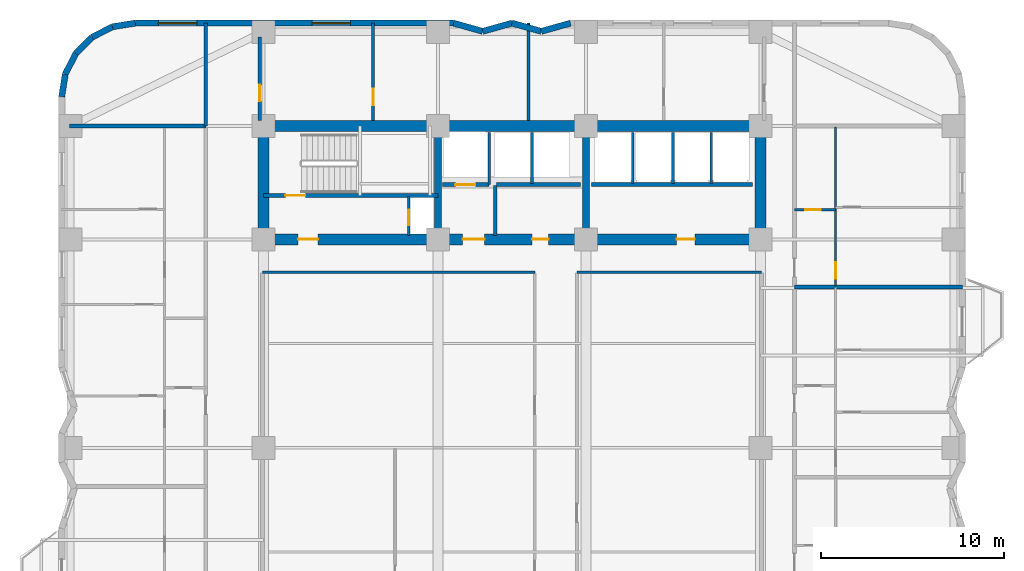
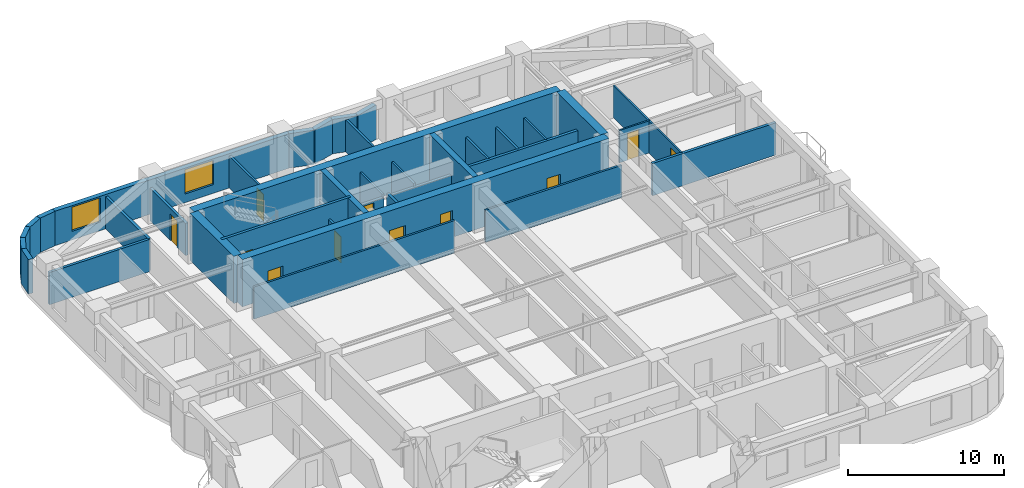
# One storey, part 6 of 9: 37 walls, 11 doors, 2 windows, 13 openings.
"""IFC4 building model written with IfcOpenShell, lengths in metres."""

import ifcopenshell
import ifcopenshell.guid

model = None  # the IFC model being written
_history = None  # IfcOwnerHistory: only IFC2X3 demands one
_inside = {}  # id of a spatial element -> (the spatial element, [elements in it])
_under = {}  # id of a project, library or spatial element -> (it, [spatial elements below it])
_declared = {}  # id of a project -> (the project, [libraries it declares])
_typed = {}  # id of a type object -> (the type object, [elements of that type])
_made_of = {}  # id of a material, layer set ... -> (it, [elements and type objects made of it])


def new_model(schema):
    """Start an empty IFC model of exactly this schema.

    Asked for "IFC4X3", IfcOpenShell would pick the latest addendum, in which some entities
    have other attributes; the version numbers below select the first issue.
    IFC2X3 requires an IfcOwnerHistory on every rooted entity: one is made here for all.
    """
    global model, _history
    if schema == "IFC4X3":
        model = ifcopenshell.file(schema_version=(4, 3, 0, 0))
    else:
        model = ifcopenshell.file(schema=schema)
    _inside.clear()
    _under.clear()
    _declared.clear()
    _typed.clear()
    _made_of.clear()
    _history = None
    if model.schema == "IFC2X3":
        org = make("IfcOrganization", Name="unknown")
        user = make(
            "IfcPersonAndOrganization",
            ThePerson=make("IfcPerson", FamilyName="unknown"),
            TheOrganization=org,
        )
        app = make(
            "IfcApplication",
            ApplicationDeveloper=org,
            Version="unknown",
            ApplicationFullName="unknown",
            ApplicationIdentifier="unknown",
        )
        _history = make(
            "IfcOwnerHistory",
            OwningUser=user,
            OwningApplication=app,
            ChangeAction="ADDED",
            CreationDate=0,
        )
    return model


def make(cls, **values):
    """One entity of the class cls with the attributes given. An attribute that is None is left unset."""
    return model.create_entity(
        cls, **{name: value for name, value in values.items() if value is not None}
    )


def rooted(cls, **values):
    """An entity with a GlobalId (a new one), such as an element, a storey or a relation."""
    return make(cls, GlobalId=ifcopenshell.guid.new(), OwnerHistory=_history, **values)


def si_unit(unit_type, name, prefix=None):
    """IfcSIUnit, for example si_unit("LENGTHUNIT", "METRE", prefix="MILLI")."""
    return make("IfcSIUnit", UnitType=unit_type, Prefix=prefix, Name=name)


def assignment(units):
    """IfcUnitAssignment: the units of a project."""
    return None if units is None else make("IfcUnitAssignment", Units=units)


def point(xyz):
    """IfcCartesianPoint."""
    return None if xyz is None else make("IfcCartesianPoint", Coordinates=xyz)


def direction(xyz):
    """IfcDirection."""
    return None if xyz is None else make("IfcDirection", DirectionRatios=xyz)


def frame(location, z_axis=None, x_axis=None):
    """IfcAxis2Placement3D, a coordinate frame: its origin and axes. An axis left out is left unset."""
    return make(
        "IfcAxis2Placement3D",
        Location=point(location),
        Axis=direction(z_axis),
        RefDirection=direction(x_axis),
    )


def frame_2d(location, x_axis=None):
    """IfcAxis2Placement2D, a coordinate frame in the plane: its origin and x axis."""
    return make(
        "IfcAxis2Placement2D", Location=point(location), RefDirection=direction(x_axis)
    )


def origin():
    """The frame at (0, 0, 0) with its axes left unset."""
    return frame((0.0, 0.0, 0.0))


def place(relative_to, where):
    """IfcLocalPlacement: puts the frame where relative to a parent placement (None: the world)."""
    return make(
        "IfcLocalPlacement", PlacementRelTo=relative_to, RelativePlacement=where
    )


def context(
    kind, dimensions, precision=None, world=None, true_north=None, identifier=None
):
    """IfcGeometricRepresentationContext, for example the 3D "Model" context."""
    return make(
        "IfcGeometricRepresentationContext",
        ContextIdentifier=identifier,
        ContextType=kind,
        CoordinateSpaceDimension=dimensions,
        Precision=precision,
        WorldCoordinateSystem=world,
        TrueNorth=true_north,
    )


def subcontext(parent, identifier, kind, view, scale=None):
    """IfcGeometricRepresentationSubContext, for example "Body" below "Model"."""
    return make(
        "IfcGeometricRepresentationSubContext",
        ContextIdentifier=identifier,
        ContextType=kind,
        ParentContext=parent,
        TargetScale=scale,
        TargetView=view,
    )


def project(units=None, contexts=None):
    """IfcProject with its units and contexts."""
    return rooted(
        "IfcProject",
        Name="project",
        RepresentationContexts=contexts,
        UnitsInContext=assignment(units),
    )


def spatial(cls, under=None, at=None, **own):
    """A site, building, storey or space (cls), placed at a placement, below another one or the project."""
    s = rooted(cls, ObjectPlacement=at, **own)
    if under is not None:
        _under.setdefault(under.id(), (under, []))[1].append(s)
    return s


def profile(cls, at=None, kind="AREA", **sizes):
    """A parametric profile (cls). Its sizes go by their IFC names, for example OverallWidth=200.0."""
    return make(cls, ProfileType=kind, Position=at, **sizes)


def rectangle(**sizes):
    """IfcRectangleProfileDef."""
    return profile("IfcRectangleProfileDef", **sizes)


def extrude(swept, where, along, depth):
    """IfcExtrudedAreaSolid: the profile swept, set in the frame where, extruded along a direction by depth."""
    return make(
        "IfcExtrudedAreaSolid",
        SweptArea=swept,
        Position=where,
        ExtrudedDirection=direction(along),
        Depth=depth,
    )


def shape(context_of_items, identifier, shape_type, items):
    """IfcShapeRepresentation: the items that make up one representation, for example the "Body"."""
    return make(
        "IfcShapeRepresentation",
        ContextOfItems=context_of_items,
        RepresentationIdentifier=identifier,
        RepresentationType=shape_type,
        Items=items,
    )


def material(Name=None, Category=None):
    """IfcMaterial."""
    return make("IfcMaterial", Name=Name, Category=Category)


def layer(
    of_material, thickness, ventilated=None, Name=None, Category=None, Priority=None
):
    """IfcMaterialLayer: one layer of a wall or slab, of a material (None: an air gap)."""
    return make(
        "IfcMaterialLayer",
        Material=of_material,
        LayerThickness=thickness,
        IsVentilated=ventilated,
        Name=Name,
        Category=Category,
        Priority=Priority,
    )


def layer_set(layers, Name=None):
    """IfcMaterialLayerSet."""
    return make("IfcMaterialLayerSet", MaterialLayers=layers, LayerSetName=Name)


def made_of(thing, what):
    """Note that an element or type object is made of a material, layer set ...; save() writes the relation."""
    if what is not None:
        _made_of.setdefault(what.id(), (what, []))[1].append(thing)
    return thing


def type_object(cls, material=None, **own):
    """A type object (cls), such as IfcWallType, which elements share."""
    return made_of(rooted(cls, **own), material)


def element(
    cls,
    number,
    at=None,
    inside=None,
    cuts=None,
    type_object=None,
    material=None,
    context=None,
    identifier="Body",
    shape_type=None,
    held_by="IfcProductDefinitionShape",
    body=None,
    shapes=None,
    **own,
):
    """One element of the class cls, such as IfcWall. Its Tag is "e" and its number.

    at: its placement. inside: the storey or other place that contains it. cuts: it is an
    opening in that element (IfcRelVoidsElement). A single representation is given by context,
    identifier, shape_type and body (its items); several are given by shapes. held_by: the class
    of the entity that holds the representations. save() writes the other relations.
    """
    e = rooted(cls, Tag="e%d" % number, ObjectPlacement=at, **own)
    if body is not None:
        shapes = [shape(context, identifier, shape_type, body)]
    if shapes is not None:
        e.Representation = make(held_by, Representations=shapes)
    if inside is not None:
        _inside.setdefault(inside.id(), (inside, []))[1].append(e)
    if cuts is not None:
        rooted(
            "IfcRelVoidsElement", RelatingBuildingElement=cuts, RelatedOpeningElement=e
        )
    if type_object is not None:
        _typed.setdefault(type_object.id(), (type_object, []))[1].append(e)
    return made_of(e, material)


def fill(opening, filler):
    """IfcRelFillsElement: the door or window that sits in an opening."""
    return rooted(
        "IfcRelFillsElement",
        RelatingOpeningElement=opening,
        RelatedBuildingElement=filler,
    )


def aggregate(whole, parts):
    """IfcRelAggregates: a whole, such as a stair, and the parts it consists of."""
    return rooted("IfcRelAggregates", RelatingObject=whole, RelatedObjects=parts)


def save(model, path):
    """Write the relations noted so far, then the file.

    IfcRelAggregates (storeys below a building ...), IfcRelContainedInSpatialStructure (elements
    in a storey), IfcRelDefinesByType, IfcRelAssociatesMaterial and IfcRelDeclares: one each for
    every whole, place, type object, material and project.
    """
    for whole, parts in _under.values():
        aggregate(whole, parts)
    for where, things in _inside.values():
        rooted(
            "IfcRelContainedInSpatialStructure",
            RelatedElements=things,
            RelatingStructure=where,
        )
    for kind, things in _typed.values():
        rooted("IfcRelDefinesByType", RelatedObjects=things, RelatingType=kind)
    for what, things in _made_of.values():
        rooted("IfcRelAssociatesMaterial", RelatedObjects=things, RelatingMaterial=what)
    for by, libraries in _declared.values():
        rooted("IfcRelDeclares", RelatingContext=by, RelatedDefinitions=libraries)
    model.write(path)


model = new_model("IFC4")

# Units and contexts
model_context = context("Model", 3, precision=1e-05, world=origin(), true_north=direction((0.0, 1.0)))
body_context = subcontext(model_context, "Body", "Model", "MODEL_VIEW")
ifc_project = project(units=[si_unit("LENGTHUNIT", "METRE"), si_unit("AREAUNIT", "SQUARE_METRE"), si_unit("VOLUMEUNIT", "CUBIC_METRE"), si_unit("PLANEANGLEUNIT", "RADIAN"), si_unit("MASSUNIT", "GRAM", prefix="KILO")], contexts=[model_context])

# Site, building, storey
site_placement = place(None, origin())
site = spatial("IfcSite", under=ifc_project, at=site_placement, CompositionType="ELEMENT")
building_placement = place(site_placement, origin())
building = spatial("IfcBuilding", under=site, at=building_placement, Name="Svetorya Sky Lyceum", CompositionType="ELEMENT")
storey_placement = place(building_placement, frame((0.0, 0.0, 65.800048828125)))
storey = spatial("IfcBuildingStorey", under=building, at=storey_placement, Name="L16", CompositionType="ELEMENT", Elevation=65.800048828125)

# Walls
ifc_material_1 = material(Name="Concrete C40/50", Category="concrete")
ifc_layer_1 = layer(ifc_material_1, 0.39990234375)
ifc_layer_set_1 = layer_set([ifc_layer_1], Name="Concrete C40/50")
wall_type_1 = type_object("IfcWallType", Name="WL-CORE-400", PredefinedType="SHEAR", material=ifc_layer_set_1)
for number, where, z_axis, x_axis, name in (
    (1, (35.14990234375, 39.89990234375, 0.0), (0.0, 0.0, 1.0), (0.0, 1.0, 0.0), "L16 NC Internal Shear Web WEB1"),
    (2, (43.25, 39.89990234375, 0.0), (0.0, 0.0, 1.0), (0.0, 1.0, 0.0), "L16 NC Internal Shear Web WEB2"),
):
    element("IfcWall", number, at=place(storey_placement, frame(where, z_axis=z_axis, x_axis=x_axis)), inside=storey, type_object=wall_type_1, Name=name, PredefinedType="SHEAR", context=body_context, shape_type="SweptSolid", body=[
        extrude(rectangle(XDim=5.60009765625, YDim=0.39990234375, at=frame_2d((2.800048828125, 0.0))), origin(), (0.0, 0.0, 1.0), 3.699951171875),
    ])
ifc_material_2 = material(Name="Concrete C60/75", Category="concrete")
ifc_layer_2 = layer(ifc_material_2, 0.60009765625)
ifc_layer_set_2 = layer_set([ifc_layer_2], Name="Concrete C60/75")
wall_type_2 = type_object("IfcWallType", Name="WL-CORE-600", PredefinedType="SHEAR", material=ifc_layer_set_2)
wall_1_placement = place(storey_placement, frame((25.60009765625, 45.800048828125, 0.0), z_axis=(0.0, 0.0, 1.0), x_axis=(1.0, 0.0, 0.0)))
element("IfcWall", 3, at=wall_1_placement, inside=storey, type_object=wall_type_2, Name="L16 NC Outer Core Shear Wall", PredefinedType="SHEAR", context=body_context, shape_type="SweptSolid", body=[
    extrude(rectangle(XDim=27.199951171875, YDim=0.60009765625, at=frame_2d((13.60009765625, 0.0))), origin(), (0.0, 0.0, 1.0), 3.699951171875),
])
for number, where, z_axis, x_axis, name in (
    (4, (25.60009765625, 39.89990234375, 0.0), (0.0, 0.0, 1.0), (0.0, 1.0, 0.0), "L16 NC West Core Shear Wall"),
    (5, (52.800048828125, 39.89990234375, 0.0), (0.0, 0.0, 1.0), (0.0, 1.0, 0.0), "L16 NC East Core Shear Wall"),
):
    element("IfcWall", number, at=place(storey_placement, frame(where, z_axis=z_axis, x_axis=x_axis)), inside=storey, type_object=wall_type_2, Name=name, PredefinedType="SHEAR", context=body_context, shape_type="SweptSolid", body=[
        extrude(rectangle(XDim=5.60009765625, YDim=0.60009765625, at=frame_2d((2.800048828125, 0.0))), origin(), (0.0, 0.0, 1.0), 3.699951171875),
    ])

# Wall, openings, doors
wall_2_placement = place(storey_placement, frame((52.800048828125, 39.60009765625, 0.0), z_axis=(0.0, 0.0, 1.0), x_axis=(-1.0, 0.0, 0.0)))
wall_2 = element("IfcWall", 6, at=wall_2_placement, inside=storey, type_object=wall_type_2, Name="L16 NC Inner Core Shear Wall", PredefinedType="SHEAR", context=body_context, shape_type="SweptSolid", body=[
    extrude(rectangle(XDim=27.199951171875, YDim=0.60009765625, at=frame_2d((13.60009765625, 0.0))), origin(), (0.0, 0.0, 1.0), 3.699951171875),
])
opening_1_placement = place(wall_2_placement, frame((24.199951171875, 0.0, 0.0)))
opening_1 = element("IfcOpeningElement", 7, at=opening_1_placement, cuts=wall_2, Name="Opening D-ST1", PredefinedType="OPENING", context=body_context, shape_type="SweptSolid", body=[
    extrude(rectangle(XDim=1.10009765625, YDim=2.14990234375, at=frame_2d((0.550048828125, 1.074951171875))), frame((0.0, 0.31005859375, 0.0), z_axis=(0.0, -1.0, 0.0), x_axis=(1.0, 0.0, 0.0)), (0.0, 0.0, 1.0), 0.6201171875),
])
opening_2_placement = place(wall_2_placement, frame((15.10009765625, 0.0, 0.0)))
opening_2 = element("IfcOpeningElement", 8, at=opening_2_placement, cuts=wall_2, Name="Opening D-FL1", PredefinedType="OPENING", context=body_context, shape_type="SweptSolid", body=[
    extrude(rectangle(XDim=1.199951171875, YDim=2.14990234375, at=frame_2d((0.60009765625, 1.074951171875))), frame((0.0, 0.31005859375, 0.0), z_axis=(0.0, -1.0, 0.0), x_axis=(1.0, 0.0, 0.0)), (0.0, 0.0, 1.0), 0.6201171875),
])
opening_3_placement = place(wall_2_placement, frame((11.60009765625, 0.0, 0.0)))
opening_3 = element("IfcOpeningElement", 9, at=opening_3_placement, cuts=wall_2, Name="Opening D-RM1", PredefinedType="OPENING", context=body_context, shape_type="SweptSolid", body=[
    extrude(rectangle(XDim=0.89990234375, YDim=2.10009765625, at=frame_2d((0.449951171875, 1.050048828125))), frame((0.0, 0.31005859375, 0.0), z_axis=(0.0, -1.0, 0.0), x_axis=(1.0, 0.0, 0.0)), (0.0, 0.0, 1.0), 0.6201171875),
])
opening_4_placement = place(wall_2_placement, frame((3.60009765625, 0.0, 0.0)))
opening_4 = element("IfcOpeningElement", 10, at=opening_4_placement, cuts=wall_2, Name="Opening D-RM2", PredefinedType="OPENING", context=body_context, shape_type="SweptSolid", body=[
    extrude(rectangle(XDim=1.0, YDim=2.14990234375, at=frame_2d((0.5, 1.074951171875))), frame((0.0, 0.31005859375, 0.0), z_axis=(0.0, -1.0, 0.0), x_axis=(1.0, 0.0, 0.0)), (0.0, 0.0, 1.0), 0.6201171875),
])
ifc_material_3 = material(Name="Powder-coated insulated galvanized stair fire door")
door_type_1 = type_object("IfcDoorType", Name="DR-FIRE-1100", OperationType="SINGLE_SWING_LEFT", PredefinedType="DOOR", material=ifc_material_3)
door_1_placement = place(opening_1_placement, origin())
door_1 = element("IfcDoor", 11, at=door_1_placement, inside=storey, type_object=door_type_1, Name="L16 North Stair Airlock Door", OperationType="SINGLE_SWING_LEFT", OverallHeight=2.14990234375, OverallWidth=1.10009765625, PredefinedType="DOOR", context=body_context, shape_type="SweptSolid", body=[
    extrude(rectangle(XDim=1.10009765625, YDim=2.14990234375, at=frame_2d((0.550048828125, 1.074951171875))), frame((0.0, 0.02490234375, 0.0), z_axis=(0.0, -1.0, 0.0), x_axis=(1.0, 0.0, 0.0)), (0.0, 0.0, 1.0), 0.050048828125),
])
fill(opening_1, door_1)
ifc_material_4 = material(Name="Powder-coated insulated galvanized fire door")
door_type_2 = type_object("IfcDoorType", Name="DR-FIRE-1200", OperationType="SINGLE_SWING_LEFT", PredefinedType="DOOR", material=ifc_material_4)
door_2_placement = place(opening_2_placement, origin())
door_2 = element("IfcDoor", 12, at=door_2_placement, inside=storey, type_object=door_type_2, Name="L16 North Firefighting Lift Lobby Door", OperationType="SINGLE_SWING_RIGHT", OverallHeight=2.14990234375, OverallWidth=1.199951171875, PredefinedType="DOOR", context=body_context, shape_type="SweptSolid", body=[
    extrude(rectangle(XDim=1.199951171875, YDim=2.14990234375, at=frame_2d((0.60009765625, 1.074951171875))), frame((0.0, 0.02490234375, 0.0), z_axis=(0.0, -1.0, 0.0), x_axis=(1.0, 0.0, 0.0)), (0.0, 0.0, 1.0), 0.050048828125),
])
fill(opening_2, door_2)
ifc_material_5 = material(Name="Solid-core oak acoustic room door")
door_type_3 = type_object("IfcDoorType", Name="DR-INT-1000", OperationType="SINGLE_SWING_LEFT", PredefinedType="DOOR", material=ifc_material_5)
door_3_placement = place(opening_4_placement, origin())
door_3 = element("IfcDoor", 13, at=door_3_placement, inside=storey, type_object=door_type_3, Name="L16 North Trunk Store Door", OperationType="SINGLE_SWING_LEFT", OverallHeight=2.14990234375, OverallWidth=1.0, PredefinedType="DOOR", context=body_context, shape_type="SweptSolid", body=[
    extrude(rectangle(XDim=1.0, YDim=2.14990234375, at=frame_2d((0.5, 1.074951171875))), frame((0.0, 0.02490234375, 0.0), z_axis=(0.0, -1.0, 0.0), x_axis=(1.0, 0.0, 0.0)), (0.0, 0.0, 1.0), 0.050048828125),
])
fill(opening_4, door_3)
ifc_material_6 = material(Name="Lacquered birch veneer internal door")
door_type_4 = type_object("IfcDoorType", Name="DR-INT-900", OperationType="SINGLE_SWING_LEFT", PredefinedType="DOOR", material=ifc_material_6)
door_4_placement = place(opening_3_placement, origin())
door_4 = element("IfcDoor", 14, at=door_4_placement, inside=storey, type_object=door_type_4, Name="L16 North Equipment Store Door", OperationType="SINGLE_SWING_LEFT", OverallHeight=2.10009765625, OverallWidth=0.89990234375, PredefinedType="DOOR", context=body_context, shape_type="SweptSolid", body=[
    extrude(rectangle(XDim=0.89990234375, YDim=2.10009765625, at=frame_2d((0.449951171875, 1.050048828125))), frame((0.0, 0.02490234375, 0.0), z_axis=(0.0, -1.0, 0.0), x_axis=(1.0, 0.0, 0.0)), (0.0, 0.0, 1.0), 0.050048828125),
])
fill(opening_3, door_4)

# Walls
ifc_material_7 = material(Name="Putilovo limestone rainscreen on autoclaved cellular masonry", Category="masonry")
ifc_layer_3 = layer(ifc_material_7, 0.340087890625)
ifc_layer_set_3 = layer_set([ifc_layer_3], Name="Putilovo limestone rainscreen on autoclaved cellular masonry")
wall_type_3 = type_object("IfcWallType", Name="WL-EXT-340", PredefinedType="SOLIDWALL", material=ifc_layer_set_3)
wall_3_placement = place(storey_placement, frame((42.39990234375, 51.429931640625, 0.0), z_axis=(0.0, 0.0, 1.0), x_axis=(-0.962652136636, -0.270741322725, 0.0)))
element("IfcWall", 15, at=wall_3_placement, inside=storey, type_object=wall_type_3, Name="L16 Limestone Exterior Wall 30M", PredefinedType="SOLIDWALL", context=body_context, shape_type="SweptSolid", body=[
    extrude(rectangle(XDim=1.661865234375, YDim=0.340087890625, at=frame_2d((0.8310546875, 0.0))), origin(), (0.0, 0.0, 1.0), 2.699951171875),
])
wall_4_placement = place(storey_placement, frame((40.800048828125, 50.97998046875, 0.0), z_axis=(0.0, 0.0, 1.0), x_axis=(-0.962662902433, 0.270703040766, 0.0)))
element("IfcWall", 16, at=wall_4_placement, inside=storey, type_object=wall_type_3, Name="L16 Limestone Exterior Wall 31M", PredefinedType="SOLIDWALL", context=body_context, shape_type="SweptSolid", body=[
    extrude(rectangle(XDim=1.662109375, YDim=0.340087890625, at=frame_2d((0.8310546875, 0.0))), origin(), (0.0, 0.0, 1.0), 2.699951171875),
])
wall_5_placement = place(storey_placement, frame((39.199951171875, 51.429931640625, 0.0), z_axis=(0.0, 0.0, 1.0), x_axis=(-0.962652136636, -0.270741322725, 0.0)))
element("IfcWall", 17, at=wall_5_placement, inside=storey, type_object=wall_type_3, Name="L16 Limestone Exterior Wall 32M", PredefinedType="SOLIDWALL", context=body_context, shape_type="SweptSolid", body=[
    extrude(rectangle(XDim=1.661865234375, YDim=0.340087890625, at=frame_2d((0.8310546875, 0.0))), origin(), (0.0, 0.0, 1.0), 2.699951171875),
])
wall_6_placement = place(storey_placement, frame((37.60009765625, 50.97998046875, 0.0), z_axis=(0.0, 0.0, 1.0), x_axis=(-0.962662902433, 0.270703040766, 0.0)))
element("IfcWall", 18, at=wall_6_placement, inside=storey, type_object=wall_type_3, Name="L16 Limestone Exterior Wall 33M", PredefinedType="SOLIDWALL", context=body_context, shape_type="SweptSolid", body=[
    extrude(rectangle(XDim=1.662109375, YDim=0.340087890625, at=frame_2d((0.8310546875, 0.0))), origin(), (0.0, 0.0, 1.0), 2.699951171875),
])

# Wall, openings, windows
wall_7_placement = place(storey_placement, frame((36.0, 51.429931640625, 0.0), z_axis=(0.0, 0.0, 1.0), x_axis=(-1.0, 0.0, 0.0)))
wall_7 = element("IfcWall", 19, at=wall_7_placement, inside=storey, type_object=wall_type_3, Name="L16 Limestone Exterior Wall 34M", PredefinedType="SOLIDWALL", context=body_context, shape_type="SweptSolid", body=[
    extrude(rectangle(XDim=17.39990234375, YDim=0.340087890625, at=frame_2d((8.699951171875, 0.0))), origin(), (0.0, 0.0, 1.0), 2.699951171875),
])
opening_5_placement = place(wall_7_placement, frame((5.637451171875, 0.0, 0.679931640625)))
opening_5 = element("IfcOpeningElement", 20, at=opening_5_placement, cuts=wall_7, Name="Opening W-R0", PredefinedType="OPENING", context=body_context, shape_type="SweptSolid", body=[
    extrude(rectangle(XDim=2.10009765625, YDim=1.89990234375, at=frame_2d((1.050048828125, 0.949951171875))), frame((0.0, 0.179931640625, 0.0), z_axis=(0.0, -1.0, 0.0), x_axis=(1.0, 0.0, 0.0)), (0.0, 0.0, 1.0), 0.360107421875),
])
opening_6_placement = place(wall_7_placement, frame((14.03759765625, 0.0, 0.679931640625)))
opening_6 = element("IfcOpeningElement", 21, at=opening_6_placement, cuts=wall_7, Name="Opening W-R0", PredefinedType="OPENING", context=body_context, shape_type="SweptSolid", body=[
    extrude(rectangle(XDim=2.10009765625, YDim=1.89990234375, at=frame_2d((1.050048828125, 0.949951171875))), frame((0.0, 0.179931640625, 0.0), z_axis=(0.0, -1.0, 0.0), x_axis=(1.0, 0.0, 0.0)), (0.0, 0.0, 1.0), 0.360107421875),
])
ifc_material_8 = material(Name="Thermally broken aluminium frame with triple low-E glazing", Category="aluminium")
window_type = type_object("IfcWindowType", Name="WN-RES-210", PartitioningType="TRIPLE_PANEL_VERTICAL", PredefinedType="WINDOW", material=ifc_material_8)
window_1_placement = place(opening_5_placement, origin())
window_1 = element("IfcWindow", 22, at=window_1_placement, inside=storey, type_object=window_type, Name="L16 Facade Window W-R0.34M.1", OverallHeight=1.89990234375, OverallWidth=2.10009765625, PartitioningType="SINGLE_PANEL", PredefinedType="WINDOW", context=body_context, shape_type="SweptSolid", body=[
    extrude(rectangle(XDim=2.10009765625, YDim=1.89990234375, at=frame_2d((1.050048828125, 0.949951171875))), frame((0.0, 0.030029296875, 0.0), z_axis=(0.0, -1.0, 0.0), x_axis=(1.0, 0.0, 0.0)), (0.0, 0.0, 1.0), 0.06005859375),
])
fill(opening_5, window_1)
window_2_placement = place(opening_6_placement, origin())
window_2 = element("IfcWindow", 23, at=window_2_placement, inside=storey, type_object=window_type, Name="L16 Facade Window W-R0.34M.2", OverallHeight=1.89990234375, OverallWidth=2.10009765625, PartitioningType="SINGLE_PANEL", PredefinedType="WINDOW", context=body_context, shape_type="SweptSolid", body=[
    extrude(rectangle(XDim=2.10009765625, YDim=1.89990234375, at=frame_2d((1.050048828125, 0.949951171875))), frame((0.0, 0.030029296875, 0.0), z_axis=(0.0, -1.0, 0.0), x_axis=(1.0, 0.0, 0.0)), (0.0, 0.0, 1.0), 0.06005859375),
])
fill(opening_6, window_2)

# Walls
wall_8_placement = place(storey_placement, frame((18.60009765625, 51.429931640625, 0.0), z_axis=(0.0, 0.0, 1.0), x_axis=(-0.98771582066, -0.156260864002, 0.0)))
element("IfcWall", 24, at=wall_8_placement, inside=storey, type_object=wall_type_3, Name="L16 Limestone Exterior Wall 35M", PredefinedType="SOLIDWALL", context=body_context, shape_type="SweptSolid", body=[
    extrude(rectangle(XDim=1.2607421875, YDim=0.340087890625, at=frame_2d((0.63037109375, 0.0))), origin(), (0.0, 0.0, 1.0), 2.699951171875),
])
for number, where, z_axis, x_axis, name in (
    (25, (17.354736328125, 51.23291015625, 0.0), (0.0, 0.0, 1.0), (-0.890993689142, -0.454015689056, 0.0), "L16 Limestone Exterior Wall 36M"),
    (26, (16.231201171875, 50.660400390625, 0.0), (0.0, 0.0, 1.0), (-0.707106781187, -0.707106781187, 0.0), "L16 Limestone Exterior Wall 37M"),
    (27, (15.339599609375, 49.768798828125, 0.0), (0.0, 0.0, 1.0), (-0.454015689056, -0.890993689142, 0.0), "L16 Limestone Exterior Wall 38M"),
):
    element("IfcWall", number, at=place(storey_placement, frame(where, z_axis=z_axis, x_axis=x_axis)), inside=storey, type_object=wall_type_3, Name=name, PredefinedType="SOLIDWALL", context=body_context, shape_type="SweptSolid", body=[
        extrude(rectangle(XDim=1.260986328125, YDim=0.340087890625, at=frame_2d((0.63037109375, 0.0))), origin(), (0.0, 0.0, 1.0), 2.699951171875),
    ])
wall_9_placement = place(storey_placement, frame((14.76708984375, 48.645263671875, 0.0), z_axis=(0.0, 0.0, 1.0), x_axis=(-0.156260864002, -0.98771582066, 0.0)))
element("IfcWall", 28, at=wall_9_placement, inside=storey, type_object=wall_type_3, Name="L16 Limestone Exterior Wall 39M", PredefinedType="SOLIDWALL", context=body_context, shape_type="SweptSolid", body=[
    extrude(rectangle(XDim=1.2607421875, YDim=0.340087890625, at=frame_2d((0.63037109375, 0.0))), origin(), (0.0, 0.0, 1.0), 2.699951171875),
])

# Wall, opening, door
ifc_material_9 = material(Name="Twin-stud galvanized framing with double fireboard", Category="gypsum")
ifc_layer_4 = layer(ifc_material_9, 0.1201171875)
ifc_layer_set_4 = layer_set([ifc_layer_4], Name="Twin-stud galvanized framing with double fireboard")
wall_type_4 = type_object("IfcWallType", Name="WL-PART-120", PredefinedType="PARTITIONING", material=ifc_layer_set_4)
wall_10_placement = place(storey_placement, frame((54.64990234375, 41.219970703125, 0.0), z_axis=(0.0, 0.0, 1.0), x_axis=(1.0, 0.0, 0.0)))
wall_10 = element("IfcWall", 29, at=wall_10_placement, inside=storey, type_object=wall_type_4, Name="L16 Interior Partition E4-WH1", PredefinedType="PARTITIONING", context=body_context, shape_type="SweptSolid", body=[
    extrude(rectangle(XDim=2.25, YDim=0.1201171875, at=frame_2d((1.125, 0.0))), origin(), (0.0, 0.0, 1.0), 2.530029296875),
])
opening_7_placement = place(wall_10_placement, frame((0.60009765625, 0.0, 0.0)))
opening_7 = element("IfcOpeningElement", 30, at=opening_7_placement, cuts=wall_10, Name="Opening D-BT1", PredefinedType="OPENING", context=body_context, shape_type="SweptSolid", body=[
    extrude(rectangle(XDim=0.85009765625, YDim=2.10009765625, at=frame_2d((0.425048828125, 1.050048828125))), frame((0.0, 0.070068359375, 0.0), z_axis=(0.0, -1.0, 0.0), x_axis=(1.0, 0.0, 0.0)), (0.0, 0.0, 1.0), 0.14013671875),
])
ifc_material_10 = material(Name="Moisture-resistant laminate bathroom door")
door_type_5 = type_object("IfcDoorType", Name="DR-WET-850", OperationType="SINGLE_SWING_LEFT", PredefinedType="DOOR", material=ifc_material_10)
door_5_placement = place(opening_7_placement, origin())
door_5 = element("IfcDoor", 31, at=door_5_placement, inside=storey, type_object=door_type_5, Name="Apartment E4 Bathroom Door", OperationType="SINGLE_SWING_LEFT", OverallHeight=2.10009765625, OverallWidth=0.85009765625, PredefinedType="DOOR", context=body_context, shape_type="SweptSolid", body=[
    extrude(rectangle(XDim=0.85009765625, YDim=2.10009765625, at=frame_2d((0.425048828125, 1.050048828125))), frame((0.0, 0.02490234375, 0.0), z_axis=(0.0, -1.0, 0.0), x_axis=(1.0, 0.0, 0.0)), (0.0, 0.0, 1.0), 0.050048828125),
])
fill(opening_7, door_5)

wall_11_placement = place(storey_placement, frame((56.89990234375, 37.0400390625, 0.0), z_axis=(0.0, 0.0, 1.0), x_axis=(0.0, 1.0, 0.0)))
wall_11 = element("IfcWall", 32, at=wall_11_placement, inside=storey, type_object=wall_type_4, Name="L16 Interior Partition E4-WV", PredefinedType="PARTITIONING", context=body_context, shape_type="SweptSolid", body=[
    extrude(rectangle(XDim=8.719970703125, YDim=0.1201171875, at=frame_2d((4.35986328125, 0.0))), origin(), (0.0, 0.0, 1.0), 2.530029296875),
])
opening_8_placement = place(wall_11_placement, frame((0.409912109375, 0.0, 0.0)))
opening_8 = element("IfcOpeningElement", 33, at=opening_8_placement, cuts=wall_11, Name="Opening D-RM1", PredefinedType="OPENING", context=body_context, shape_type="SweptSolid", body=[
    extrude(rectangle(XDim=0.89990234375, YDim=2.10009765625, at=frame_2d((0.449951171875, 1.050048828125))), frame((0.0, 0.070068359375, 0.0), z_axis=(0.0, -1.0, 0.0), x_axis=(1.0, 0.0, 0.0)), (0.0, 0.0, 1.0), 0.14013671875),
])
door_6_placement = place(opening_8_placement, origin())
door_6 = element("IfcDoor", 34, at=door_6_placement, inside=storey, type_object=door_type_4, Name="Apartment E4 Living Door", OperationType="SINGLE_SWING_RIGHT", OverallHeight=2.10009765625, OverallWidth=0.89990234375, PredefinedType="DOOR", context=body_context, shape_type="SweptSolid", body=[
    extrude(rectangle(XDim=0.89990234375, YDim=2.10009765625, at=frame_2d((0.449951171875, 1.050048828125))), frame((0.0, 0.02490234375, 0.0), z_axis=(0.0, -1.0, 0.0), x_axis=(1.0, 0.0, 0.0)), (0.0, 0.0, 1.0), 0.050048828125),
])
fill(opening_8, door_6)

ifc_material_11 = material(Name="Autoclaved cellular masonry blockwork with acoustic render", Category="masonry")
ifc_layer_5 = layer(ifc_material_11, 0.14990234375)
ifc_layer_set_5 = layer_set([ifc_layer_5], Name="Autoclaved cellular masonry blockwork with acoustic render")
wall_type_5 = type_object("IfcWallType", Name="WL-PART-150", PredefinedType="PARTITIONING", material=ifc_layer_set_5)
wall_12_placement = place(storey_placement, frame((33.550048828125, 39.820068359375, 0.0), z_axis=(0.0, 0.0, 1.0), x_axis=(0.0, 1.0, 0.0)))
wall_12 = element("IfcWall", 35, at=wall_12_placement, inside=storey, type_object=wall_type_5, Name="L16 Interior Partition NC-RSRW", PredefinedType="PARTITIONING", context=body_context, shape_type="SweptSolid", body=[
    extrude(rectangle(XDim=2.1298828125, YDim=0.14990234375, at=frame_2d((1.06494140625, 0.0))), origin(), (0.0, 0.0, 1.0), 2.530029296875),
])
opening_9_placement = place(wall_12_placement, frame((0.550048828125, 0.0, 0.0)))
opening_9 = element("IfcOpeningElement", 36, at=opening_9_placement, cuts=wall_12, Name="Opening D-SH1", PredefinedType="OPENING", context=body_context, shape_type="SweptSolid", body=[
    extrude(rectangle(XDim=0.85009765625, YDim=2.050048828125, at=frame_2d((0.425048828125, 1.02490234375))), frame((0.0, 0.0849609375, 0.0), z_axis=(0.0, -1.0, 0.0), x_axis=(1.0, 0.0, 0.0)), (0.0, 0.0, 1.0), 0.169921875),
])
ifc_material_12 = material(Name="Insulated galvanized riser inspection fire door")
door_type_6 = type_object("IfcDoorType", Name="DR-SHFT-850", OperationType="SINGLE_SWING_LEFT", PredefinedType="TRAPDOOR", material=ifc_material_12)
door_7_placement = place(opening_9_placement, origin())
door_7 = element("IfcDoor", 37, at=door_7_placement, inside=storey, type_object=door_type_6, Name="L16 North Riser Access Door", OperationType="SINGLE_SWING_LEFT", OverallHeight=2.050048828125, OverallWidth=0.85009765625, PredefinedType="TRAPDOOR", context=body_context, shape_type="SweptSolid", body=[
    extrude(rectangle(XDim=0.85009765625, YDim=2.050048828125, at=frame_2d((0.425048828125, 1.02490234375))), frame((0.0, 0.02490234375, 0.0), z_axis=(0.0, -1.0, 0.0), x_axis=(1.0, 0.0, 0.0)), (0.0, 0.0, 1.0), 0.050048828125),
])
fill(opening_9, door_7)

# Walls
wall_13_placement = place(storey_placement, frame((37.949951171875, 42.60009765625, 0.0), z_axis=(0.0, 0.0, 1.0), x_axis=(0.0, 1.0, 0.0)))
element("IfcWall", 38, at=wall_13_placement, inside=storey, type_object=wall_type_5, Name="L16 Interior Partition NC-FL1SIDE", PredefinedType="PARTITIONING", context=body_context, shape_type="SweptSolid", body=[
    extrude(rectangle(XDim=2.849853515625, YDim=0.14990234375, at=frame_2d((1.4248046875, 0.0))), origin(), (0.0, 0.0, 1.0), 2.530029296875),
])
for number, where, z_axis, x_axis, name in (
    (39, (40.300048828125, 42.64990234375, 0.0), (0.0, 0.0, 1.0), (0.0, 1.0, 0.0), "L16 Interior Partition NC-PM-D1"),
    (40, (45.800048828125, 42.64990234375, 0.0), (0.0, 0.0, 1.0), (0.0, 1.0, 0.0), "L16 Interior Partition NC-PM3-D"),
    (41, (48.0, 42.64990234375, 0.0), (0.0, 0.0, 1.0), (0.0, 1.0, 0.0), "L16 Interior Partition NC-PH-D1"),
    (42, (50.10009765625, 42.64990234375, 0.0), (0.0, 0.0, 1.0), (0.0, 1.0, 0.0), "L16 Interior Partition NC-PH-D2"),
):
    element("IfcWall", number, at=place(storey_placement, frame(where, z_axis=z_axis, x_axis=x_axis)), inside=storey, type_object=wall_type_5, Name=name, PredefinedType="PARTITIONING", context=body_context, shape_type="SweptSolid", body=[
        extrude(rectangle(XDim=2.800048828125, YDim=0.14990234375, at=frame_2d((1.39990234375, 0.0))), origin(), (0.0, 0.0, 1.0), 2.530029296875),
    ])
wall_14_placement = place(storey_placement, frame((25.550048828125, 37.800048828125, 0.0), z_axis=(0.0, 0.0, 1.0), x_axis=(1.0, 0.0, 0.0)))
element("IfcWall", 43, at=wall_14_placement, inside=storey, type_object=wall_type_5, Name="L16 Interior Partition CN-MID-W", PredefinedType="PARTITIONING", context=body_context, shape_type="SweptSolid", body=[
    extrude(rectangle(XDim=14.89990234375, YDim=0.14990234375, at=frame_2d((7.449951171875, 0.0))), origin(), (0.0, 0.0, 1.0), 2.530029296875),
])
wall_15_placement = place(storey_placement, frame((42.75, 37.800048828125, 0.0), z_axis=(0.0, 0.0, 1.0), x_axis=(1.0, 0.0, 0.0)))
element("IfcWall", 44, at=wall_15_placement, inside=storey, type_object=wall_type_5, Name="L16 Interior Partition CN-MID-E", PredefinedType="PARTITIONING", context=body_context, shape_type="SweptSolid", body=[
    extrude(rectangle(XDim=10.10009765625, YDim=0.14990234375, at=frame_2d((5.050048828125, 0.0))), origin(), (0.0, 0.0, 1.0), 2.530029296875),
])

# Wall, opening, door
wall_16_placement = place(storey_placement, frame((31.60009765625, 46.10009765625, 0.0), z_axis=(0.0, 0.0, 1.0), x_axis=(0.0, 1.0, 0.0)))
wall_16 = element("IfcWall", 45, at=wall_16_placement, inside=storey, type_object=wall_type_5, Name="L16 Interior Partition N4-D1", PredefinedType="PARTITIONING", context=body_context, shape_type="SweptSolid", body=[
    extrude(rectangle(XDim=5.329833984375, YDim=0.14990234375, at=frame_2d((2.6650390625, 0.0))), origin(), (0.0, 0.0, 1.0), 2.530029296875),
])
opening_10_placement = place(wall_16_placement, frame((0.85009765625, 0.0, 0.0)))
opening_10 = element("IfcOpeningElement", 46, at=opening_10_placement, cuts=wall_16, Name="Opening D-RM1", PredefinedType="OPENING", context=body_context, shape_type="SweptSolid", body=[
    extrude(rectangle(XDim=0.89990234375, YDim=2.10009765625, at=frame_2d((0.449951171875, 1.050048828125))), frame((0.0, 0.0849609375, 0.0), z_axis=(0.0, -1.0, 0.0), x_axis=(1.0, 0.0, 0.0)), (0.0, 0.0, 1.0), 0.169921875),
])
door_8_placement = place(opening_10_placement, origin())
door_8 = element("IfcDoor", 47, at=door_8_placement, inside=storey, type_object=door_type_4, Name="L16 North Suite Door 1", OperationType="SINGLE_SWING_RIGHT", OverallHeight=2.10009765625, OverallWidth=0.89990234375, PredefinedType="DOOR", context=body_context, shape_type="SweptSolid", body=[
    extrude(rectangle(XDim=0.89990234375, YDim=2.10009765625, at=frame_2d((0.449951171875, 1.050048828125))), frame((0.0, 0.02490234375, 0.0), z_axis=(0.0, -1.0, 0.0), x_axis=(1.0, 0.0, 0.0)), (0.0, 0.0, 1.0), 0.050048828125),
])
fill(opening_10, door_8)

# Wall
wall_17_placement = place(storey_placement, frame((40.10009765625, 46.10009765625, 0.0), z_axis=(0.0, 0.0, 1.0), x_axis=(0.0, 1.0, 0.0)))
element("IfcWall", 48, at=wall_17_placement, inside=storey, type_object=wall_type_5, Name="L16 Interior Partition N4-D2", PredefinedType="PARTITIONING", context=body_context, shape_type="SweptSolid", body=[
    extrude(rectangle(XDim=5.329833984375, YDim=0.14990234375, at=frame_2d((2.6650390625, 0.0))), origin(), (0.0, 0.0, 1.0), 2.530029296875),
])

# Wall, opening, door
ifc_material_13 = material(Name="Autoclaved cellular masonry blockwork with gypsum plaster", Category="masonry")
ifc_layer_6 = layer(ifc_material_13, 0.199951171875)
ifc_layer_set_6 = layer_set([ifc_layer_6], Name="Autoclaved cellular masonry blockwork with gypsum plaster")
wall_type_6 = type_object("IfcWallType", Name="WL-PART-200", PredefinedType="PARTITIONING", material=ifc_layer_set_6)
wall_18_placement = place(storey_placement, frame((37.949951171875, 42.60009765625, 0.0), z_axis=(0.0, 0.0, 1.0), x_axis=(-1.0, 0.0, 0.0)))
wall_18 = element("IfcWall", 49, at=wall_18_placement, inside=storey, type_object=wall_type_6, Name="L16 Interior Partition NC-FL1W", PredefinedType="PARTITIONING", context=body_context, shape_type="SweptSolid", body=[
    extrude(rectangle(XDim=2.550048828125, YDim=0.199951171875, at=frame_2d((1.27490234375, 0.0))), origin(), (0.0, 0.0, 1.0), 2.300048828125),
])
opening_11_placement = place(wall_18_placement, frame((0.75, 0.0, 0.0)))
opening_11 = element("IfcOpeningElement", 50, at=opening_11_placement, cuts=wall_18, Name="Opening LD-FL", PredefinedType="OPENING", context=body_context, shape_type="SweptSolid", body=[
    extrude(rectangle(XDim=1.10009765625, YDim=2.14990234375, at=frame_2d((0.550048828125, 1.074951171875))), frame((0.0, 0.10986328125, 0.0), z_axis=(0.0, -1.0, 0.0), x_axis=(1.0, 0.0, 0.0)), (0.0, 0.0, 1.0), 0.219970703125),
])
ifc_material_14 = material(Name="Fire-rated stainless AISI 304 firefighting lift landing door")
door_type_7 = type_object("IfcDoorType", Name="DR-LIFT-1100", OperationType="SLIDING_TO_LEFT", PredefinedType="DOOR", material=ifc_material_14)
door_9_placement = place(opening_11_placement, origin())
door_9 = element("IfcDoor", 51, at=door_9_placement, inside=storey, type_object=door_type_7, Name="L16 Firefighting Lift FL1 Landing Door", OperationType="SLIDING_TO_LEFT", OverallHeight=2.14990234375, OverallWidth=1.10009765625, PredefinedType="DOOR", context=body_context, shape_type="SweptSolid", body=[
    extrude(rectangle(XDim=1.10009765625, YDim=2.14990234375, at=frame_2d((0.550048828125, 1.074951171875))), frame((0.0, 0.02490234375, 0.0), z_axis=(0.0, -1.0, 0.0), x_axis=(1.0, 0.0, 0.0)), (0.0, 0.0, 1.0), 0.050048828125),
])
fill(opening_11, door_9)

# Walls
wall_19_placement = place(storey_placement, frame((38.280029296875, 39.820068359375, 0.0), z_axis=(0.0, 0.0, 1.0), x_axis=(0.0, 1.0, 0.0)))
element("IfcWall", 52, at=wall_19_placement, inside=storey, type_object=wall_type_6, Name="L16 Interior Partition NC-FFLDIV", PredefinedType="PARTITIONING", context=body_context, shape_type="SweptSolid", body=[
    extrude(rectangle(XDim=2.72998046875, YDim=0.199951171875, at=frame_2d((1.364990234375, 0.0))), origin(), (0.0, 0.0, 1.0), 2.530029296875),
])
wall_20_placement = place(storey_placement, frame((42.949951171875, 42.60009765625, 0.0), z_axis=(0.0, 0.0, 1.0), x_axis=(-1.0, 0.0, 0.0)))
element("IfcWall", 53, at=wall_20_placement, inside=storey, type_object=wall_type_6, Name="L16 Interior Partition NC-PM12W", PredefinedType="PARTITIONING", context=body_context, shape_type="SweptSolid", body=[
    extrude(rectangle(XDim=4.599853515625, YDim=0.199951171875, at=frame_2d((2.2998046875, 0.0))), origin(), (0.0, 0.0, 1.0), 2.300048828125),
])
wall_21_placement = place(storey_placement, frame((52.35009765625, 42.60009765625, 0.0), z_axis=(0.0, 0.0, 1.0), x_axis=(-1.0, 0.0, 0.0)))
element("IfcWall", 54, at=wall_21_placement, inside=storey, type_object=wall_type_6, Name="L16 Interior Partition NC-PHEW", PredefinedType="PARTITIONING", context=body_context, shape_type="SweptSolid", body=[
    extrude(rectangle(XDim=8.800048828125, YDim=0.199951171875, at=frame_2d((4.39990234375, 0.0))), origin(), (0.0, 0.0, 1.0), 2.530029296875),
])
wall_22_placement = place(storey_placement, frame((14.989990234375, 45.800048828125, 0.0), z_axis=(0.0, 0.0, 1.0), x_axis=(1.0, 0.0, 0.0)))
element("IfcWall", 55, at=wall_22_placement, inside=storey, type_object=wall_type_6, Name="L16 Interior Partition W-CAP-N", PredefinedType="PARTITIONING", context=body_context, shape_type="SweptSolid", body=[
    extrude(rectangle(XDim=7.4599609375, YDim=0.199951171875, at=frame_2d((3.72998046875, 0.0))), origin(), (0.0, 0.0, 1.0), 2.530029296875),
])
wall_23_placement = place(storey_placement, frame((54.64990234375, 37.0, 0.0), z_axis=(0.0, 0.0, 1.0), x_axis=(1.0, 0.0, 0.0)))
element("IfcWall", 56, at=wall_23_placement, inside=storey, type_object=wall_type_6, Name="L16 Interior Partition E-PARTY-3", PredefinedType="PARTITIONING", context=body_context, shape_type="SweptSolid", body=[
    extrude(rectangle(XDim=9.18017578125, YDim=0.199951171875, at=frame_2d((4.590087890625, 0.0))), origin(), (0.0, 0.0, 1.0), 2.530029296875),
])
wall_24_placement = place(storey_placement, frame((22.449951171875, 45.800048828125, 0.0), z_axis=(0.0, 0.0, 1.0), x_axis=(0.0, 1.0, 0.0)))
element("IfcWall", 57, at=wall_24_placement, inside=storey, type_object=wall_type_6, Name="L16 Interior Partition WC-NW-END", PredefinedType="PARTITIONING", context=body_context, shape_type="SweptSolid", body=[
    extrude(rectangle(XDim=5.6298828125, YDim=0.199951171875, at=frame_2d((2.81494140625, 0.0))), origin(), (0.0, 0.0, 1.0), 2.530029296875),
])

# Wall, opening, door
wall_25_placement = place(storey_placement, frame((25.39990234375, 46.10009765625, 0.0), z_axis=(0.0, 0.0, 1.0), x_axis=(0.0, 1.0, 0.0)))
wall_25 = element("IfcWall", 58, at=wall_25_placement, inside=storey, type_object=wall_type_6, Name="L16 Interior Partition N4-EW", PredefinedType="PARTITIONING", context=body_context, shape_type="SweptSolid", body=[
    extrude(rectangle(XDim=4.579833984375, YDim=0.199951171875, at=frame_2d((2.2900390625, 0.0))), origin(), (0.0, 0.0, 1.0), 2.530029296875),
])
opening_12_placement = place(wall_25_placement, frame((1.050048828125, 0.0, 0.0)))
opening_12 = element("IfcOpeningElement", 59, at=opening_12_placement, cuts=wall_25, Name="Opening D-RM1", PredefinedType="OPENING", context=body_context, shape_type="SweptSolid", body=[
    extrude(rectangle(XDim=0.89990234375, YDim=2.10009765625, at=frame_2d((0.449951171875, 1.050048828125))), frame((0.0, 0.10986328125, 0.0), z_axis=(0.0, -1.0, 0.0), x_axis=(1.0, 0.0, 0.0)), (0.0, 0.0, 1.0), 0.219970703125),
])
door_10_placement = place(opening_12_placement, origin())
door_10 = element("IfcDoor", 60, at=door_10_placement, inside=storey, type_object=door_type_4, Name="L16 NW Study Door", OperationType="SINGLE_SWING_RIGHT", OverallHeight=2.10009765625, OverallWidth=0.89990234375, PredefinedType="DOOR", context=body_context, shape_type="SweptSolid", body=[
    extrude(rectangle(XDim=0.89990234375, YDim=2.10009765625, at=frame_2d((0.449951171875, 1.050048828125))), frame((0.0, 0.02490234375, 0.0), z_axis=(0.0, -1.0, 0.0), x_axis=(1.0, 0.0, 0.0)), (0.0, 0.0, 1.0), 0.050048828125),
])
fill(opening_12, door_10)

ifc_material_15 = material(Name="Concrete C50/60", Category="concrete")
ifc_layer_7 = layer(ifc_material_15, 0.199951171875)
ifc_layer_set_7 = layer_set([ifc_layer_7], Name="Concrete C50/60")
wall_type_7 = type_object("IfcWallType", Name="WL-SHW-200", PredefinedType="SHEAR", material=ifc_layer_set_7)
wall_26_placement = place(storey_placement, frame((35.14990234375, 42.0, 0.0), z_axis=(0.0, 0.0, 1.0), x_axis=(-1.0, 0.0, 0.0)))
wall_26 = element("IfcWall", 61, at=wall_26_placement, inside=storey, type_object=wall_type_7, Name="L16 Structural Stair Shaft Wall NC-STW", PredefinedType="SHEAR", context=body_context, shape_type="SweptSolid", body=[
    extrude(rectangle(XDim=9.5498046875, YDim=0.199951171875, at=frame_2d((4.77490234375, 0.0))), origin(), (0.0, 0.0, 1.0), 3.699951171875),
])
opening_13_placement = place(wall_26_placement, frame((7.25, 0.0, 0.0)))
opening_13 = element("IfcOpeningElement", 62, at=opening_13_placement, cuts=wall_26, Name="Opening D-ST1", PredefinedType="OPENING", context=body_context, shape_type="SweptSolid", body=[
    extrude(rectangle(XDim=1.10009765625, YDim=2.14990234375, at=frame_2d((0.550048828125, 1.074951171875))), frame((0.0, 0.10986328125, 0.0), z_axis=(0.0, -1.0, 0.0), x_axis=(1.0, 0.0, 0.0)), (0.0, 0.0, 1.0), 0.219970703125),
])
door_11_placement = place(opening_13_placement, origin())
door_11 = element("IfcDoor", 63, at=door_11_placement, inside=storey, type_object=door_type_1, Name="L16 Stair ST-N Vestibule Fire Door", OperationType="SINGLE_SWING_RIGHT", OverallHeight=2.14990234375, OverallWidth=1.10009765625, PredefinedType="DOOR", context=body_context, shape_type="SweptSolid", body=[
    extrude(rectangle(XDim=1.10009765625, YDim=2.14990234375, at=frame_2d((0.550048828125, 1.074951171875))), frame((0.0, 0.02490234375, 0.0), z_axis=(0.0, -1.0, 0.0), x_axis=(1.0, 0.0, 0.0)), (0.0, 0.0, 1.0), 0.050048828125),
])
fill(opening_13, door_11)

save(model, "model.ifc")
